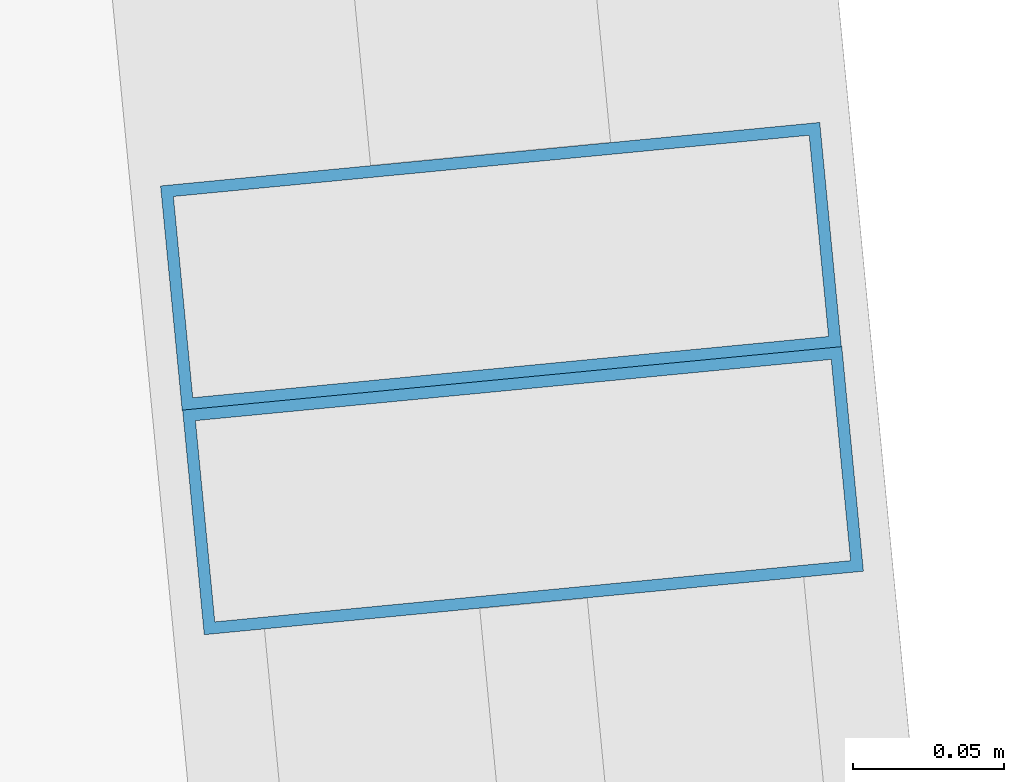
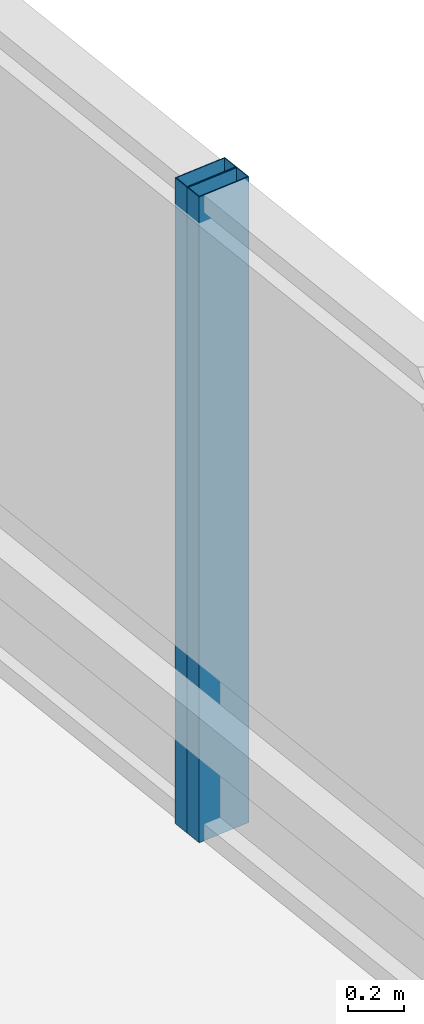
# One storey, part 17 of 32: 2 members, 2 elements without a shape of their own.
"""IFC4 building model written with IfcOpenShell, lengths in metres."""

from ifc_helpers import new_model, si_unit, direction, frame, origin, origin_2d, place, context, subcontext, project, spatial, hollow_rectangle, extrude, material, layer, layer_set, material_profile, profile_set, type_object, element, aggregate, save


model = new_model("IFC4")

# Units and contexts
model_context = context("Model", 3, precision=1e-05, world=origin(), true_north=direction((0.0, 1.0)))
body_context = subcontext(model_context, "Body", "Model", "MODEL_VIEW")
ifc_project = project(units=[si_unit("LENGTHUNIT", "METRE"), si_unit("AREAUNIT", "SQUARE_METRE"), si_unit("VOLUMEUNIT", "CUBIC_METRE"), si_unit("PLANEANGLEUNIT", "RADIAN"), si_unit("MASSUNIT", "GRAM", prefix="KILO")], contexts=[model_context])

# Site, building, storey
site_placement = place(None, origin())
site = spatial("IfcSite", under=ifc_project, at=site_placement, CompositionType="ELEMENT")
building_placement = place(site_placement, origin())
building = spatial("IfcBuilding", under=site, at=building_placement, Name="Qhalaya Broadcast Tower", CompositionType="ELEMENT")
storey_placement = place(building_placement, frame((0.0, 0.0, 87.75)))
storey = spatial("IfcBuildingStorey", under=building, at=storey_placement, Name="L25", CompositionType="ELEMENT", Elevation=87.75)

# Curtain wall, member
ifc_material_1 = material(Name="Solar-Control Low-E Triple Glazing", Category="glass")
ifc_layer_1 = layer(ifc_material_1, 0.219970703125, Name="Solar-Control Low-E Triple Glazing")
ifc_layer_set_1 = layer_set([ifc_layer_1], Name="Solar-Control Low-E Triple Glazing")
curtain_wall_type_1 = type_object("IfcCurtainWallType", Name="Even-Block 4-Storey Double-Module Curtain Wall CW-03", PredefinedType="NOTDEFINED", material=ifc_layer_set_1)
curtain_wall_1_placement = place(storey_placement, origin())
curtain_wall_1 = element("IfcCurtainWall", 1, at=curtain_wall_1_placement, inside=storey, type_object=curtain_wall_type_1, Name="L25 Unitised Curtain Wall L25-CW-E4", PredefinedType="NOTDEFINED")
ifc_material_2 = material(Name="Anodised Aluminium 6063-T6", Category="aluminium")
ifc_material_profile = material_profile(ifc_material_2, hollow_rectangle(XDim=0.074951171875, YDim=0.219970703125, WallThickness=0.00390625, at=origin_2d()), Name="ALU-MUL 75x220x4")
ifc_profile_set = profile_set([ifc_material_profile], Name="Anodised Aluminium 6063-T6")
member_type = type_object("IfcMemberType", Name="Unitised Curtain-Wall Mullion M01", PredefinedType="MULLION", material=ifc_profile_set)
member_1_placement = place(storey_placement, frame((27.67333984375, 8.316650390625, 0.0), z_axis=(0.0, 0.0, 1.0), x_axis=(-0.095844611292, 0.995396308254, 0.0)))
member_1 = element("IfcMember", 2, at=member_1_placement, type_object=member_type, Name="CW-03 mullion 2", PredefinedType="MULLION", context=body_context, shape_type="SweptSolid", body=[
    extrude(hollow_rectangle(XDim=0.074951171875, YDim=0.219970703125, WallThickness=0.00390625, at=origin_2d()), origin(), (0.0, 0.0, 1.0), 2.830078125),
])
aggregate(curtain_wall_1, [member_1])

ifc_material_3 = material(Name="Fired Architectural Terracotta", Category="masonry")
ifc_layer_2 = layer(ifc_material_3, 0.219970703125, Name="Fired Architectural Terracotta")
ifc_layer_set_2 = layer_set([ifc_layer_2], Name="Fired Architectural Terracotta")
curtain_wall_type_2 = type_object("IfcCurtainWallType", Name="Block-Cap Unitised Terracotta Spandrel Wall CW-07", PredefinedType="NOTDEFINED", material=ifc_layer_set_2)
curtain_wall_2_placement = place(storey_placement, origin())
curtain_wall_2 = element("IfcCurtainWall", 3, at=curtain_wall_2_placement, inside=storey, type_object=curtain_wall_type_2, Name="L25 Unitised Curtain Wall L25-CW-E5", PredefinedType="NOTDEFINED")
member_2_placement = place(storey_placement, frame((27.666015625, 8.39111328125, 0.0), z_axis=(0.0, 0.0, 1.0), x_axis=(-0.095849092763, 0.995395876733, 0.0)))
member_2 = element("IfcMember", 4, at=member_2_placement, type_object=member_type, Name="CW-07 mullion 1", PredefinedType="MULLION", context=body_context, shape_type="SweptSolid", body=[
    extrude(hollow_rectangle(XDim=0.074951171875, YDim=0.219970703125, WallThickness=0.00390625, at=origin_2d()), origin(), (0.0, 0.0, 1.0), 2.830078125),
])
aggregate(curtain_wall_2, [member_2])

save(model, "model.ifc")
